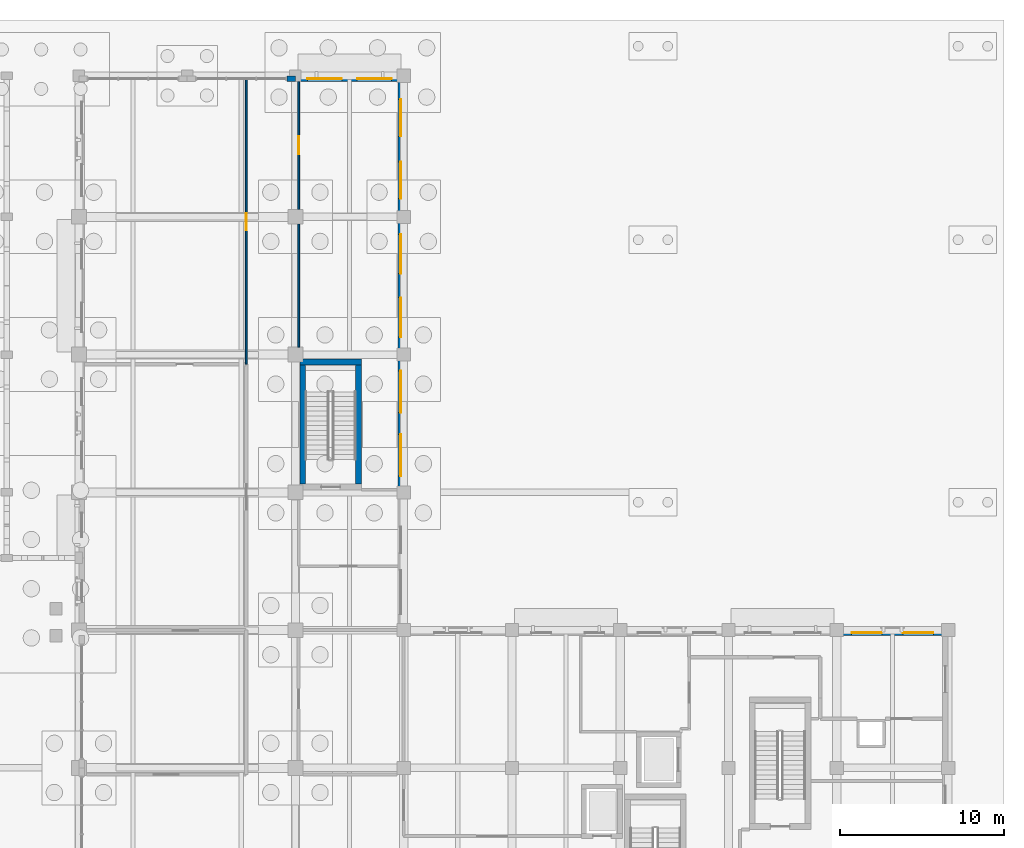
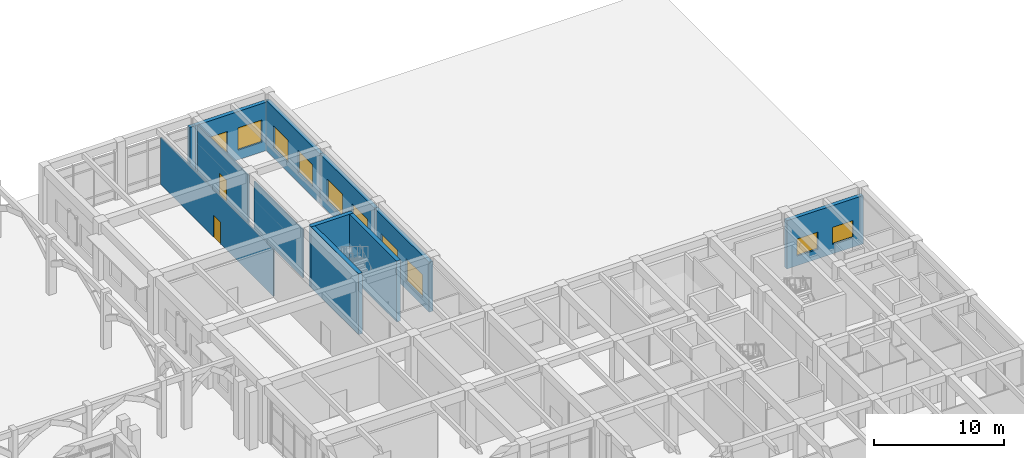
# One storey, part 64 of 82: 12 walls, 10 windows, 2 doors, 12 openings.
"""IFC4 building model written with IfcOpenShell, lengths in metres."""

from ifc_helpers import new_model, si_unit, direction, frame, frame_2d, origin, place, context, subcontext, project, spatial, rectangle, extrude, material, layer, layer_set, type_object, element, fill, save


model = new_model("IFC4")

# Units and contexts
model_context = context("Model", 3, precision=1e-05, world=origin(), true_north=direction((0.0, 1.0)))
body_context = subcontext(model_context, "Body", "Model", "MODEL_VIEW")
ifc_project = project(units=[si_unit("LENGTHUNIT", "METRE"), si_unit("AREAUNIT", "SQUARE_METRE"), si_unit("VOLUMEUNIT", "CUBIC_METRE"), si_unit("PLANEANGLEUNIT", "RADIAN"), si_unit("MASSUNIT", "GRAM", prefix="KILO")], contexts=[model_context])

# Site, building, storey
site_placement = place(None, origin())
site = spatial("IfcSite", under=ifc_project, at=site_placement, CompositionType="ELEMENT")
building_placement = place(site_placement, origin())
building = spatial("IfcBuilding", under=site, at=building_placement, Name="Kolvaren Faculty of Natural Sciences", CompositionType="ELEMENT")
storey_placement = place(building_placement, origin())
storey = spatial("IfcBuildingStorey", under=building, at=storey_placement, Name="L00", CompositionType="ELEMENT", Elevation=0.0)

# Walls
ifc_material_1 = material(Name="Concrete C40/50", Category="concrete")
ifc_layer_1 = layer(ifc_material_1, 0.35009765625)
ifc_layer_set_1 = layer_set([ifc_layer_1], Name="Concrete C40/50")
wall_type_1 = type_object("IfcWallType", Name="CoreShearWall_350", PredefinedType="SHEAR", material=ifc_layer_set_1)
wall_1_placement = place(storey_placement, frame((132.47509765625, 100.550048828125, -0.320068359375), z_axis=(0.0, 0.0, 1.0), x_axis=(1.0, 0.0, 0.0)))
element("IfcWall", 1, at=wall_1_placement, inside=storey, type_object=wall_type_1, Name="L00 CORE-C7 stair shear wall N", PredefinedType="SHEAR", context=body_context, shape_type="SweptSolid", body=[
    extrude(rectangle(XDim=3.75, YDim=0.35009765625, at=frame_2d((1.875, 0.0))), origin(), (0.0, 0.0, 1.0), 5.719970703125),
])
for number, where, z_axis, x_axis, name in (
    (2, (132.64990234375, 93.10009765625, -0.320068359375), (0.0, 0.0, 1.0), (0.0, 1.0, 0.0), "L00 CORE-C7 stair shear wall W"),
    (3, (136.050048828125, 93.10009765625, -0.320068359375), (0.0, 0.0, 1.0), (0.0, 1.0, 0.0), "L00 CORE-C7 stair shear wall E"),
):
    element("IfcWall", number, at=place(storey_placement, frame(where, z_axis=z_axis, x_axis=x_axis)), inside=storey, type_object=wall_type_1, Name=name, PredefinedType="SHEAR", context=body_context, shape_type="SweptSolid", body=[
        extrude(rectangle(XDim=7.27490234375, YDim=0.35009765625, at=frame_2d((3.637451171875, 0.0))), origin(), (0.0, 0.0, 1.0), 5.719970703125),
    ])
ifc_material_2 = material(Name="Acoustic mineral-wool insulated gypsum partition")
ifc_layer_2 = layer(ifc_material_2, 0.094970703125)
ifc_layer_set_2 = layer_set([ifc_layer_2], Name="Acoustic mineral-wool insulated gypsum partition")
wall_type_2 = type_object("IfcWallType", Name="CubiclePartition_095", PredefinedType="PARTITIONING", material=ifc_layer_set_2)
wall_2_placement = place(storey_placement, frame((132.39990234375, 101.449951171875, 0.0), z_axis=(0.0, 0.0, 1.0), x_axis=(0.0, 1.0, 0.0)))
element("IfcWall", 4, at=wall_2_placement, inside=storey, type_object=wall_type_2, Name="L00 interior partition PW-095", PredefinedType="PARTITIONING", context=body_context, shape_type="SweptSolid", body=[
    extrude(rectangle(XDim=7.5, YDim=0.094970703125, at=frame_2d((3.75, 0.0))), origin(), (0.0, 0.0, 1.0), 4.534912109375),
])

# Wall, opening, door
wall_3_placement = place(storey_placement, frame((132.39990234375, 109.85009765625, 0.0), z_axis=(0.0, 0.0, 1.0), x_axis=(0.0, 1.0, 0.0)))
wall_3 = element("IfcWall", 5, at=wall_3_placement, inside=storey, type_object=wall_type_2, Name="L00 interior partition PW-095", PredefinedType="PARTITIONING", context=body_context, shape_type="SweptSolid", body=[
    extrude(rectangle(XDim=7.7998046875, YDim=0.094970703125, at=frame_2d((3.89990234375, 0.0))), origin(), (0.0, 0.0, 1.0), 4.534912109375),
])
opening_1_placement = place(wall_3_placement, frame((3.35009765625, 0.0, 0.0)))
opening_1 = element("IfcOpeningElement", 6, at=opening_1_placement, cuts=wall_3, Name="Opening ID-10", PredefinedType="OPENING", context=body_context, shape_type="SweptSolid", body=[
    extrude(rectangle(XDim=1.10009765625, YDim=2.06005859375, at=frame_2d((0.550048828125, 1.030029296875))), frame((0.0, 0.057373046875, 0.0), z_axis=(0.0, -1.0, 0.0), x_axis=(1.0, 0.0, 0.0)), (0.0, 0.0, 1.0), 0.114990234375),
])
ifc_material_3 = material(Name="Solid-core hardwood veneer door leaf in steel frame", Category="steel")
door_type_1 = type_object("IfcDoorType", Name="InteriorRoomDoor_1100x2060", OperationType="NOTDEFINED", PredefinedType="DOOR", material=ifc_material_3)
door_1_placement = place(opening_1_placement, origin())
door_1 = element("IfcDoor", 7, at=door_1_placement, inside=storey, type_object=door_type_1, Name="D-L00-0065", OperationType="SINGLE_SWING_LEFT", OverallHeight=2.06005859375, OverallWidth=1.10009765625, PredefinedType="DOOR", context=body_context, shape_type="SweptSolid", body=[
    extrude(rectangle(XDim=1.10009765625, YDim=2.06005859375, at=frame_2d((0.550048828125, 1.030029296875))), frame((0.0, 0.02490234375, 0.0), z_axis=(0.0, -1.0, 0.0), x_axis=(1.0, 0.0, 0.0)), (0.0, 0.0, 1.0), 0.050048828125),
])
fill(opening_1, door_1)

# Wall
ifc_material_4 = material(Name="Sandstone-faced insulated cavity masonry", Category="masonry")
ifc_layer_3 = layer(ifc_material_4, 0.340087890625)
ifc_layer_set_3 = layer_set([ifc_layer_3], Name="Sandstone-faced insulated cavity masonry")
wall_type_3 = type_object("IfcWallType", Name="ExteriorCavityWall_340", PredefinedType="STANDARD", material=ifc_layer_set_3)
wall_4_placement = place(storey_placement, frame((131.679931640625, 117.830078125, 0.0), z_axis=(0.0, 0.0, 1.0), x_axis=(1.0, 0.0, 0.0)))
element("IfcWall", 8, at=wall_4_placement, inside=storey, type_object=wall_type_3, Name="L00 curtain-wall pier stub 107", PredefinedType="STANDARD", context=body_context, shape_type="SweptSolid", body=[
    extrude(rectangle(XDim=0.52001953125, YDim=0.340087890625, at=frame_2d((0.260009765625, 0.0))), origin(), (0.0, 0.0, 1.0), 4.534912109375),
])

# Wall, openings, windows
wall_5_placement = place(storey_placement, frame((132.199951171875, 117.830078125, 0.0), z_axis=(0.0, 0.0, 1.0), x_axis=(1.0, 0.0, 0.0)))
wall_5 = element("IfcWall", 9, at=wall_5_placement, inside=storey, type_object=wall_type_3, Name="L00 exterior masonry wall EW-340 (108)", PredefinedType="STANDARD", context=body_context, shape_type="SweptSolid", body=[
    extrude(rectangle(XDim=6.60009765625, YDim=0.340087890625, at=frame_2d((3.300048828125, 0.0))), origin(), (0.0, 0.0, 1.0), 4.534912109375),
])
opening_2_placement = place(wall_5_placement, frame((0.73193359375, 0.0, 0.89990234375)))
opening_2 = element("IfcOpeningElement", 10, at=opening_2_placement, cuts=wall_5, Name="Opening WIN-07", PredefinedType="OPENING", context=body_context, shape_type="SweptSolid", body=[
    extrude(rectangle(XDim=2.10009765625, YDim=2.10009765625, at=frame_2d((1.050048828125, 1.050048828125))), frame((0.0, 0.179931640625, 0.0), z_axis=(0.0, -1.0, 0.0), x_axis=(1.0, 0.0, 0.0)), (0.0, 0.0, 1.0), 0.360107421875),
])
opening_3_placement = place(wall_5_placement, frame((3.76806640625, 0.0, 0.89990234375)))
opening_3 = element("IfcOpeningElement", 11, at=opening_3_placement, cuts=wall_5, Name="Opening WIN-07", PredefinedType="OPENING", context=body_context, shape_type="SweptSolid", body=[
    extrude(rectangle(XDim=2.10009765625, YDim=2.10009765625, at=frame_2d((1.050048828125, 1.050048828125))), frame((0.0, 0.179931640625, 0.0), z_axis=(0.0, -1.0, 0.0), x_axis=(1.0, 0.0, 0.0)), (0.0, 0.0, 1.0), 0.360107421875),
])
ifc_material_5 = material(Name="Double low-E solar control insulated glazing", Category="glass")
window_type_1 = type_object("IfcWindowType", Name="AluWindow_WIN07_2100x2100", PartitioningType="SINGLE_PANEL", PredefinedType="WINDOW", material=ifc_material_5)
window_1_placement = place(opening_2_placement, origin())
window_1 = element("IfcWindow", 12, at=window_1_placement, inside=storey, type_object=window_type_1, Name="WIN-L00-0093", OverallHeight=2.10009765625, OverallWidth=2.10009765625, PartitioningType="SINGLE_PANEL", PredefinedType="WINDOW", context=body_context, shape_type="SweptSolid", body=[
    extrude(rectangle(XDim=2.10009765625, YDim=2.10009765625, at=frame_2d((1.050048828125, 1.050048828125))), frame((0.0, 0.030029296875, 0.0), z_axis=(0.0, -1.0, 0.0), x_axis=(1.0, 0.0, 0.0)), (0.0, 0.0, 1.0), 0.06005859375),
])
fill(opening_2, window_1)
window_2_placement = place(opening_3_placement, origin())
window_2 = element("IfcWindow", 13, at=window_2_placement, inside=storey, type_object=window_type_1, Name="WIN-L00-0094", OverallHeight=2.10009765625, OverallWidth=2.10009765625, PartitioningType="SINGLE_PANEL", PredefinedType="WINDOW", context=body_context, shape_type="SweptSolid", body=[
    extrude(rectangle(XDim=2.10009765625, YDim=2.10009765625, at=frame_2d((1.050048828125, 1.050048828125))), frame((0.0, 0.030029296875, 0.0), z_axis=(0.0, -1.0, 0.0), x_axis=(1.0, 0.0, 0.0)), (0.0, 0.0, 1.0), 0.06005859375),
])
fill(opening_3, window_2)

wall_6_placement = place(storey_placement, frame((138.6298828125, 117.659912109375, 0.0), z_axis=(0.0, 0.0, 1.0), x_axis=(0.0, -1.0, 0.0)))
wall_6 = element("IfcWall", 14, at=wall_6_placement, inside=storey, type_object=wall_type_3, Name="L00 exterior masonry wall EW-340 (109)", PredefinedType="STANDARD", context=body_context, shape_type="SweptSolid", body=[
    extrude(rectangle(XDim=8.260009765625, YDim=0.340087890625, at=frame_2d((4.1298828125, 0.0))), origin(), (0.0, 0.0, 1.0), 4.68505859375),
])
opening_4_placement = place(wall_6_placement, frame((1.105224609375, 0.0, 0.89990234375)))
opening_4 = element("IfcOpeningElement", 15, at=opening_4_placement, cuts=wall_6, Name="Opening WIN-08", PredefinedType="OPENING", context=body_context, shape_type="SweptSolid", body=[
    extrude(rectangle(XDim=2.25, YDim=2.10009765625, at=frame_2d((1.125, 1.050048828125))), frame((0.0, 0.179931640625, 0.0), z_axis=(0.0, -1.0, 0.0), x_axis=(1.0, 0.0, 0.0)), (0.0, 0.0, 1.0), 0.360107421875),
])
opening_5_placement = place(wall_6_placement, frame((4.90478515625, 0.0, 0.89990234375)))
opening_5 = element("IfcOpeningElement", 16, at=opening_5_placement, cuts=wall_6, Name="Opening WIN-08", PredefinedType="OPENING", context=body_context, shape_type="SweptSolid", body=[
    extrude(rectangle(XDim=2.25, YDim=2.10009765625, at=frame_2d((1.125, 1.050048828125))), frame((0.0, 0.179931640625, 0.0), z_axis=(0.0, -1.0, 0.0), x_axis=(1.0, 0.0, 0.0)), (0.0, 0.0, 1.0), 0.360107421875),
])
window_type_2 = type_object("IfcWindowType", Name="AluWindow_WIN08_2250x2100", PartitioningType="SINGLE_PANEL", PredefinedType="WINDOW", material=ifc_material_5)
window_3_placement = place(opening_4_placement, origin())
window_3 = element("IfcWindow", 17, at=window_3_placement, inside=storey, type_object=window_type_2, Name="WIN-L00-0095", OverallHeight=2.10009765625, OverallWidth=2.25, PartitioningType="SINGLE_PANEL", PredefinedType="WINDOW", context=body_context, shape_type="SweptSolid", body=[
    extrude(rectangle(XDim=2.25, YDim=2.10009765625, at=frame_2d((1.125, 1.050048828125))), frame((0.0, 0.030029296875, 0.0), z_axis=(0.0, -1.0, 0.0), x_axis=(1.0, 0.0, 0.0)), (0.0, 0.0, 1.0), 0.06005859375),
])
fill(opening_4, window_3)
window_4_placement = place(opening_5_placement, origin())
window_4 = element("IfcWindow", 18, at=window_4_placement, inside=storey, type_object=window_type_2, Name="WIN-L00-0096", OverallHeight=2.10009765625, OverallWidth=2.25, PartitioningType="SINGLE_PANEL", PredefinedType="WINDOW", context=body_context, shape_type="SweptSolid", body=[
    extrude(rectangle(XDim=2.25, YDim=2.10009765625, at=frame_2d((1.125, 1.050048828125))), frame((0.0, 0.030029296875, 0.0), z_axis=(0.0, -1.0, 0.0), x_axis=(1.0, 0.0, 0.0)), (0.0, 0.0, 1.0), 0.06005859375),
])
fill(opening_5, window_4)

wall_7_placement = place(storey_placement, frame((138.6298828125, 109.39990234375, 0.0), z_axis=(0.0, 0.0, 1.0), x_axis=(0.0, -1.0, 0.0)))
wall_7 = element("IfcWall", 19, at=wall_7_placement, inside=storey, type_object=wall_type_3, Name="L00 exterior masonry wall EW-340 (110)", PredefinedType="STANDARD", context=body_context, shape_type="SweptSolid", body=[
    extrude(rectangle(XDim=8.39990234375, YDim=0.340087890625, at=frame_2d((4.199951171875, 0.0))), origin(), (0.0, 0.0, 1.0), 4.68505859375),
])
opening_6_placement = place(wall_7_placement, frame((1.068115234375, 0.0, 0.89990234375)))
opening_6 = element("IfcOpeningElement", 20, at=opening_6_placement, cuts=wall_7, Name="Opening WIN-09", PredefinedType="OPENING", context=body_context, shape_type="SweptSolid", body=[
    extrude(rectangle(XDim=2.39990234375, YDim=2.10009765625, at=frame_2d((1.199951171875, 1.050048828125))), frame((0.0, 0.179931640625, 0.0), z_axis=(0.0, -1.0, 0.0), x_axis=(1.0, 0.0, 0.0)), (0.0, 0.0, 1.0), 0.360107421875),
])
opening_7_placement = place(wall_7_placement, frame((4.931884765625, 0.0, 0.89990234375)))
opening_7 = element("IfcOpeningElement", 21, at=opening_7_placement, cuts=wall_7, Name="Opening WIN-09", PredefinedType="OPENING", context=body_context, shape_type="SweptSolid", body=[
    extrude(rectangle(XDim=2.39990234375, YDim=2.10009765625, at=frame_2d((1.199951171875, 1.050048828125))), frame((0.0, 0.179931640625, 0.0), z_axis=(0.0, -1.0, 0.0), x_axis=(1.0, 0.0, 0.0)), (0.0, 0.0, 1.0), 0.360107421875),
])
window_type_3 = type_object("IfcWindowType", Name="AluWindow_WIN09_2400x2100", PartitioningType="SINGLE_PANEL", PredefinedType="WINDOW", material=ifc_material_5)
window_5_placement = place(opening_6_placement, origin())
window_5 = element("IfcWindow", 22, at=window_5_placement, inside=storey, type_object=window_type_3, Name="WIN-L00-0097", OverallHeight=2.10009765625, OverallWidth=2.39990234375, PartitioningType="SINGLE_PANEL", PredefinedType="WINDOW", context=body_context, shape_type="SweptSolid", body=[
    extrude(rectangle(XDim=2.39990234375, YDim=2.10009765625, at=frame_2d((1.199951171875, 1.050048828125))), frame((0.0, 0.030029296875, 0.0), z_axis=(0.0, -1.0, 0.0), x_axis=(1.0, 0.0, 0.0)), (0.0, 0.0, 1.0), 0.06005859375),
])
fill(opening_6, window_5)
window_6_placement = place(opening_7_placement, origin())
window_6 = element("IfcWindow", 23, at=window_6_placement, inside=storey, type_object=window_type_3, Name="WIN-L00-0098", OverallHeight=2.10009765625, OverallWidth=2.39990234375, PartitioningType="SINGLE_PANEL", PredefinedType="WINDOW", context=body_context, shape_type="SweptSolid", body=[
    extrude(rectangle(XDim=2.39990234375, YDim=2.10009765625, at=frame_2d((1.199951171875, 1.050048828125))), frame((0.0, 0.030029296875, 0.0), z_axis=(0.0, -1.0, 0.0), x_axis=(1.0, 0.0, 0.0)), (0.0, 0.0, 1.0), 0.06005859375),
])
fill(opening_7, window_6)

wall_8_placement = place(storey_placement, frame((138.6298828125, 101.0, 0.0), z_axis=(0.0, 0.0, 1.0), x_axis=(0.0, -1.0, 0.0)))
wall_8 = element("IfcWall", 24, at=wall_8_placement, inside=storey, type_object=wall_type_3, Name="L00 exterior masonry wall EW-340 (111)", PredefinedType="STANDARD", context=body_context, shape_type="SweptSolid", body=[
    extrude(rectangle(XDim=8.39990234375, YDim=0.340087890625, at=frame_2d((4.199951171875, 0.0))), origin(), (0.0, 0.0, 1.0), 4.68505859375),
])
opening_8_placement = place(wall_8_placement, frame((0.992919921875, 0.0, 0.75)))
opening_8 = element("IfcOpeningElement", 25, at=opening_8_placement, cuts=wall_8, Name="Opening WIN-10", PredefinedType="OPENING", context=body_context, shape_type="SweptSolid", body=[
    extrude(rectangle(XDim=2.550048828125, YDim=2.14990234375, at=frame_2d((1.27490234375, 1.074951171875))), frame((0.0, 0.179931640625, 0.0), z_axis=(0.0, -1.0, 0.0), x_axis=(1.0, 0.0, 0.0)), (0.0, 0.0, 1.0), 0.360107421875),
])
opening_9_placement = place(wall_8_placement, frame((4.85693359375, 0.0, 0.75)))
opening_9 = element("IfcOpeningElement", 26, at=opening_9_placement, cuts=wall_8, Name="Opening WIN-10", PredefinedType="OPENING", context=body_context, shape_type="SweptSolid", body=[
    extrude(rectangle(XDim=2.550048828125, YDim=2.14990234375, at=frame_2d((1.27490234375, 1.074951171875))), frame((0.0, 0.179931640625, 0.0), z_axis=(0.0, -1.0, 0.0), x_axis=(1.0, 0.0, 0.0)), (0.0, 0.0, 1.0), 0.360107421875),
])
window_type_4 = type_object("IfcWindowType", Name="AluWindow_WIN10_2550x2150", PartitioningType="SINGLE_PANEL", PredefinedType="WINDOW", material=ifc_material_5)
window_7_placement = place(opening_8_placement, origin())
window_7 = element("IfcWindow", 27, at=window_7_placement, inside=storey, type_object=window_type_4, Name="WIN-L00-0099", OverallHeight=2.14990234375, OverallWidth=2.550048828125, PartitioningType="SINGLE_PANEL", PredefinedType="WINDOW", context=body_context, shape_type="SweptSolid", body=[
    extrude(rectangle(XDim=2.550048828125, YDim=2.14990234375, at=frame_2d((1.27490234375, 1.074951171875))), frame((0.0, 0.030029296875, 0.0), z_axis=(0.0, -1.0, 0.0), x_axis=(1.0, 0.0, 0.0)), (0.0, 0.0, 1.0), 0.06005859375),
])
fill(opening_8, window_7)
window_8_placement = place(opening_9_placement, origin())
window_8 = element("IfcWindow", 28, at=window_8_placement, inside=storey, type_object=window_type_4, Name="WIN-L00-0100", OverallHeight=2.14990234375, OverallWidth=2.550048828125, PartitioningType="SINGLE_PANEL", PredefinedType="WINDOW", context=body_context, shape_type="SweptSolid", body=[
    extrude(rectangle(XDim=2.550048828125, YDim=2.14990234375, at=frame_2d((1.27490234375, 1.074951171875))), frame((0.0, 0.030029296875, 0.0), z_axis=(0.0, -1.0, 0.0), x_axis=(1.0, 0.0, 0.0)), (0.0, 0.0, 1.0), 0.06005859375),
])
fill(opening_9, window_8)

wall_9_placement = place(storey_placement, frame((165.199951171875, 84.030029296875, 0.0), z_axis=(0.0, 0.0, 1.0), x_axis=(1.0, 0.0, 0.0)))
wall_9 = element("IfcWall", 29, at=wall_9_placement, inside=storey, type_object=wall_type_3, Name="L00 exterior masonry wall EW-340 (117)", PredefinedType="STANDARD", context=body_context, shape_type="SweptSolid", body=[
    extrude(rectangle(XDim=6.800048828125, YDim=0.340087890625, at=frame_2d((3.39990234375, 0.0))), origin(), (0.0, 0.0, 1.0), 4.534912109375),
])
opening_10_placement = place(wall_9_placement, frame((0.910888671875, 0.0, 0.89990234375)))
opening_10 = element("IfcOpeningElement", 30, at=opening_10_placement, cuts=wall_9, Name="Opening WIN-16", PredefinedType="OPENING", context=body_context, shape_type="SweptSolid", body=[
    extrude(rectangle(XDim=1.85009765625, YDim=1.60009765625, at=frame_2d((0.925048828125, 0.800048828125))), frame((0.0, 0.179931640625, 0.0), z_axis=(0.0, -1.0, 0.0), x_axis=(1.0, 0.0, 0.0)), (0.0, 0.0, 1.0), 0.360107421875),
])
opening_11_placement = place(wall_9_placement, frame((4.0390625, 0.0, 0.89990234375)))
opening_11 = element("IfcOpeningElement", 31, at=opening_11_placement, cuts=wall_9, Name="Opening WIN-16", PredefinedType="OPENING", context=body_context, shape_type="SweptSolid", body=[
    extrude(rectangle(XDim=1.85009765625, YDim=1.60009765625, at=frame_2d((0.925048828125, 0.800048828125))), frame((0.0, 0.179931640625, 0.0), z_axis=(0.0, -1.0, 0.0), x_axis=(1.0, 0.0, 0.0)), (0.0, 0.0, 1.0), 0.360107421875),
])
window_type_5 = type_object("IfcWindowType", Name="AluWindow_WIN16_1850x1600", PartitioningType="SINGLE_PANEL", PredefinedType="WINDOW", material=ifc_material_5)
window_9_placement = place(opening_10_placement, origin())
window_9 = element("IfcWindow", 32, at=window_9_placement, inside=storey, type_object=window_type_5, Name="WIN-L00-0109", OverallHeight=1.60009765625, OverallWidth=1.85009765625, PartitioningType="SINGLE_PANEL", PredefinedType="WINDOW", context=body_context, shape_type="SweptSolid", body=[
    extrude(rectangle(XDim=1.85009765625, YDim=1.60009765625, at=frame_2d((0.925048828125, 0.800048828125))), frame((0.0, 0.030029296875, 0.0), z_axis=(0.0, -1.0, 0.0), x_axis=(1.0, 0.0, 0.0)), (0.0, 0.0, 1.0), 0.06005859375),
])
fill(opening_10, window_9)
window_10_placement = place(opening_11_placement, origin())
window_10 = element("IfcWindow", 33, at=window_10_placement, inside=storey, type_object=window_type_5, Name="WIN-L00-0110", OverallHeight=1.60009765625, OverallWidth=1.85009765625, PartitioningType="SINGLE_PANEL", PredefinedType="WINDOW", context=body_context, shape_type="SweptSolid", body=[
    extrude(rectangle(XDim=1.85009765625, YDim=1.60009765625, at=frame_2d((0.925048828125, 0.800048828125))), frame((0.0, 0.030029296875, 0.0), z_axis=(0.0, -1.0, 0.0), x_axis=(1.0, 0.0, 0.0)), (0.0, 0.0, 1.0), 0.06005859375),
])
fill(opening_11, window_10)

# Wall, opening, door
ifc_layer_4 = layer(ifc_material_2, 0.10498046875)
ifc_layer_set_4 = layer_set([ifc_layer_4], Name="Acoustic mineral-wool insulated gypsum partition")
wall_type_4 = type_object("IfcWallType", Name="WetRoomPartition_105", PredefinedType="PARTITIONING", material=ifc_layer_set_4)
wall_10_placement = place(storey_placement, frame((129.199951171875, 117.780029296875, 0.0), z_axis=(0.0, 0.0, 1.0), x_axis=(0.0, -1.0, 0.0)))
wall_10 = element("IfcWall", 34, at=wall_10_placement, inside=storey, type_object=wall_type_4, Name="L00 interior partition PW-105", PredefinedType="PARTITIONING", context=body_context, shape_type="SweptSolid", body=[
    extrude(rectangle(XDim=17.35595703125, YDim=0.10498046875, at=frame_2d((8.677978515625, 0.0))), origin(), (0.0, 0.0, 1.0), 4.43505859375),
])
opening_12_placement = place(wall_10_placement, frame((8.153076171875, 0.0, 0.0)))
opening_12 = element("IfcOpeningElement", 35, at=opening_12_placement, cuts=wall_10, Name="Opening ID-09", PredefinedType="OPENING", context=body_context, shape_type="SweptSolid", body=[
    extrude(rectangle(XDim=1.050048828125, YDim=2.06005859375, at=frame_2d((0.52490234375, 1.030029296875))), frame((0.0, 0.0625, 0.0), z_axis=(0.0, -1.0, 0.0), x_axis=(1.0, 0.0, 0.0)), (0.0, 0.0, 1.0), 0.125),
])
door_type_2 = type_object("IfcDoorType", Name="InteriorRoomDoor_1050x2060", OperationType="NOTDEFINED", PredefinedType="DOOR", material=ifc_material_3)
door_2_placement = place(opening_12_placement, origin())
door_2 = element("IfcDoor", 36, at=door_2_placement, inside=storey, type_object=door_type_2, Name="D-L00-0063", OperationType="SINGLE_SWING_LEFT", OverallHeight=2.06005859375, OverallWidth=1.050048828125, PredefinedType="DOOR", context=body_context, shape_type="SweptSolid", body=[
    extrude(rectangle(XDim=1.050048828125, YDim=2.06005859375, at=frame_2d((0.52490234375, 1.030029296875))), frame((0.0, 0.02490234375, 0.0), z_axis=(0.0, -1.0, 0.0), x_axis=(1.0, 0.0, 0.0)), (0.0, 0.0, 1.0), 0.050048828125),
])
fill(opening_12, door_2)

save(model, "model.ifc")
